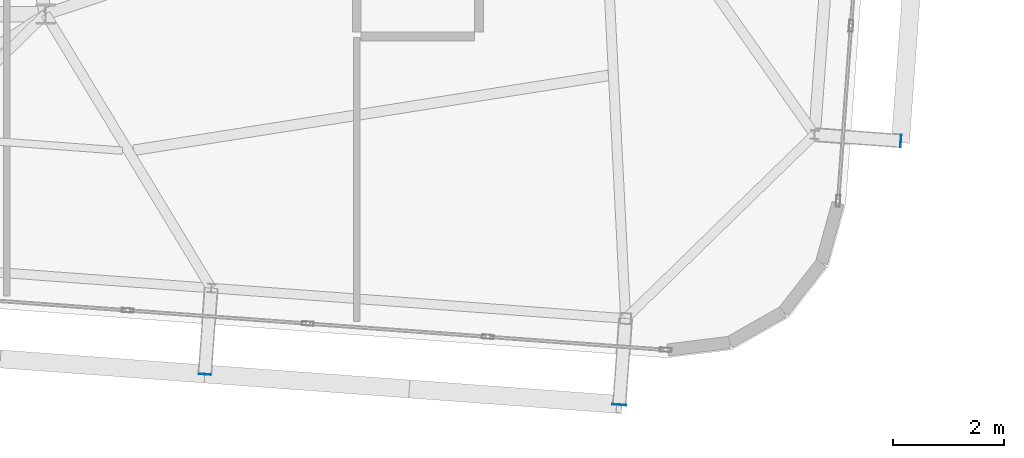
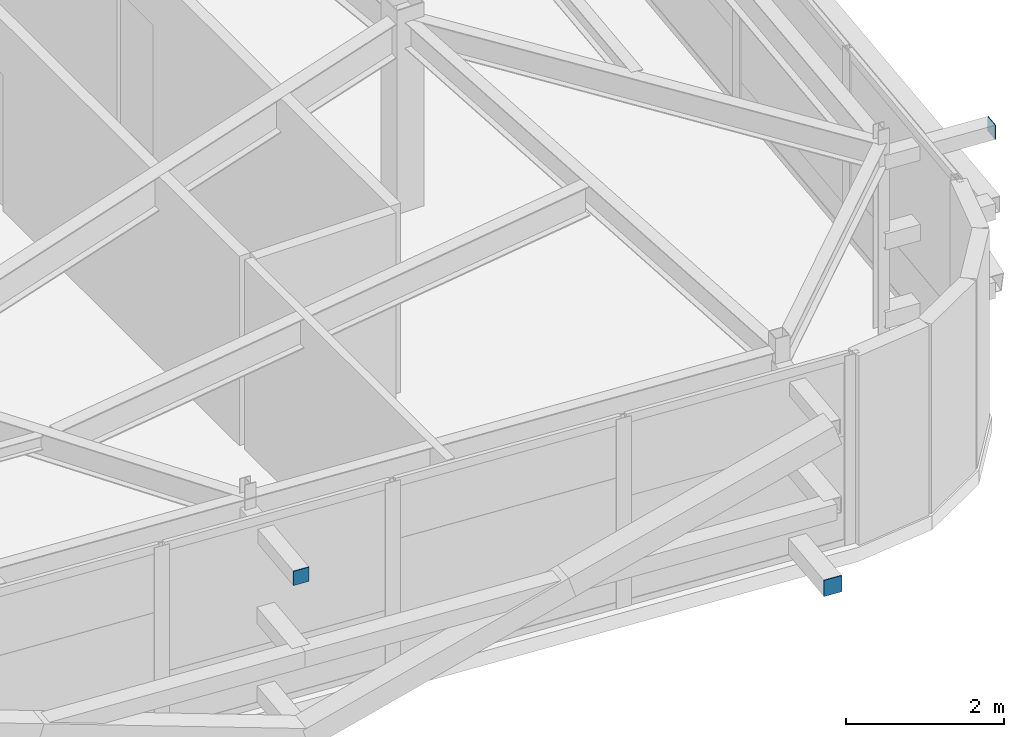
# One storey, part 34 of 42: 3 plates.
"""IFC4 building model written with IfcOpenShell, lengths in metres."""

from ifc_helpers import new_model, si_unit, direction, frame, origin, origin_2d, place, context, subcontext, project, spatial, rectangle, extrude, source, transform, mapped, material, layer, layer_set, type_object, element, save


model = new_model("IFC4")

# Units and contexts
model_context = context("Model", 3, precision=1e-05, world=origin(), true_north=direction((0.0, 1.0)))
body_context = subcontext(model_context, "Body", "Model", "MODEL_VIEW")
ifc_project = project(units=[si_unit("LENGTHUNIT", "METRE"), si_unit("AREAUNIT", "SQUARE_METRE"), si_unit("VOLUMEUNIT", "CUBIC_METRE"), si_unit("PLANEANGLEUNIT", "RADIAN"), si_unit("MASSUNIT", "GRAM", prefix="KILO")], contexts=[model_context])

# Site, building, storey
site_placement = place(None, origin())
site = spatial("IfcSite", under=ifc_project, at=site_placement, CompositionType="ELEMENT")
building_placement = place(site_placement, origin())
building = spatial("IfcBuilding", under=site, at=building_placement, Name="Taldren Reach Tower", CompositionType="ELEMENT")
storey_placement = place(building_placement, frame((0.0, 0.0, 224.0)))
storey = spatial("IfcBuildingStorey", under=building, at=storey_placement, Name="L68", CompositionType="ELEMENT", Elevation=224.0)

# Plates
ifc_material_1 = material(Name="Steel Gr 350 (C350L0)", Category="steel")
ifc_layer_1 = layer(ifc_material_1, 0.011962890625)
ifc_layer_set_1 = layer_set([ifc_layer_1], Name="Steel Gr 350 (C350L0)")
plate_type_1 = type_object("IfcPlateType", Name="PL-CAP-250", PredefinedType="SHEET", material=ifc_layer_set_1)
shared_shape_1 = source(origin(), body_context, "Body", "SweptSolid", [
    extrude(rectangle(XDim=0.25, YDim=0.011962890625, at=origin_2d()), origin(), (0.0, 0.0, 1.0), 0.25),
])
plate_1_placement = place(storey_placement, frame((52.326171875, 2.169189453125, 0.094970703125), z_axis=(0.0, 0.0, 1.0), x_axis=(0.997314477224, -0.073238197128, 0.0)))
element("IfcPlate", 1, at=plate_1_placement, inside=storey, type_object=plate_type_1, Name="Tie strut end cap plate B5-S6 L68", PredefinedType="SHEET", context=body_context, shape_type="MappedRepresentation", body=[
    mapped(shared_shape_1, transform((0.0, 0.0, 0.0), scale=1.0)),
])
ifc_material_2 = material(Name="Steel Gr 450 (C450L0)", Category="steel")
ifc_layer_2 = layer(ifc_material_2, 0.011962890625)
ifc_layer_set_2 = layer_set([ifc_layer_2], Name="Steel Gr 450 (C450L0)")
plate_type_2 = type_object("IfcPlateType", Name="PL-CAP-220", PredefinedType="SHEET", material=ifc_layer_set_2)
shared_shape_2 = source(origin(), body_context, "Body", "SweptSolid", [
    extrude(rectangle(XDim=0.219970703125, YDim=0.011962890625, at=origin_2d()), origin(), (0.0, 0.0, 1.0), 0.219970703125),
])
plate_2_placement = place(storey_placement, frame((44.866455078125, 2.717041015625, 2.5400390625), z_axis=(0.0, 0.0, 1.0), x_axis=(0.997314477224, -0.073238197128, 0.0)))
element("IfcPlate", 2, at=plate_2_placement, inside=storey, type_object=plate_type_2, Name="Tie strut end cap plate B5-S5 L68", PredefinedType="SHEET", context=body_context, shape_type="MappedRepresentation", body=[
    mapped(shared_shape_2, transform((0.0, 0.0, 0.0), scale=1.0)),
])
shared_shape_3 = source(origin(), body_context, "Body", "SweptSolid", [
    extrude(rectangle(XDim=0.011962890625, YDim=0.219970703125, at=origin_2d()), origin(), (0.0, 0.0, 1.0), 0.219970703125),
])
plate_3_placement = place(storey_placement, frame((57.3935546875, 6.9169921875, 2.5400390625), z_axis=(0.0, 0.0, 1.0), x_axis=(0.997314477224, -0.073238197128, 0.0)))
element("IfcPlate", 3, at=plate_3_placement, inside=storey, type_object=plate_type_2, Name="Tie strut end cap plate B5-E1 L68", PredefinedType="SHEET", context=body_context, shape_type="MappedRepresentation", body=[
    mapped(shared_shape_3, transform((0.0, 0.0, 0.0), scale=1.0)),
])

save(model, "model.ifc")
